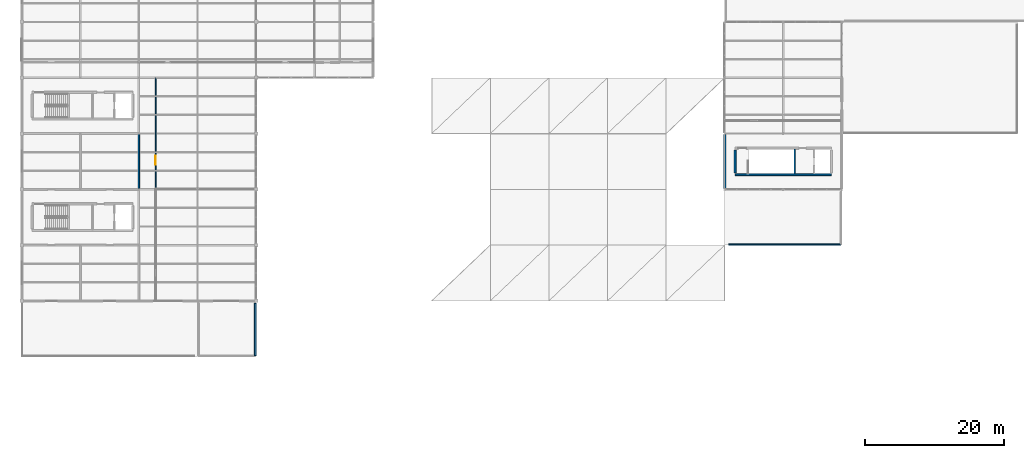
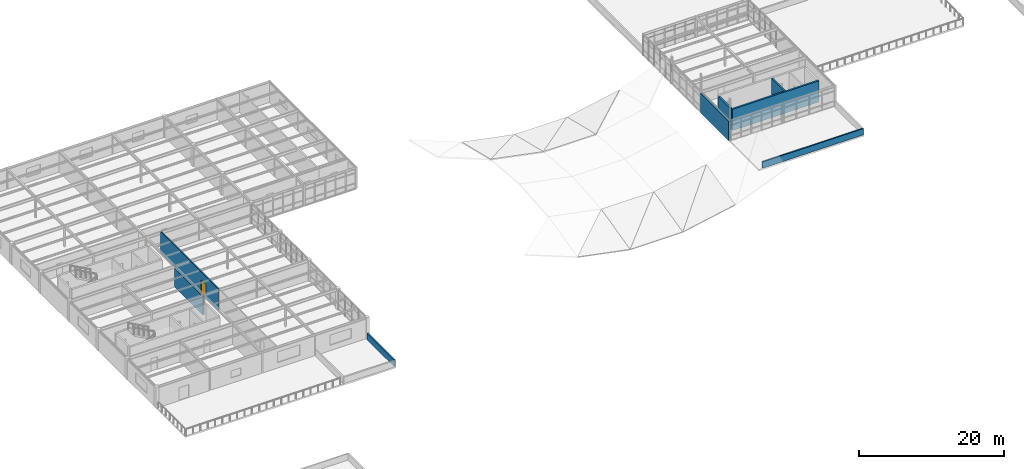
# One storey, part 24 of 32: 8 walls, 1 door, 1 opening.
"""IFC4 building model written with IfcOpenShell, lengths in metres."""

import ifcopenshell
import ifcopenshell.guid

model = None  # the IFC model being written
_history = None  # IfcOwnerHistory: only IFC2X3 demands one
_inside = {}  # id of a spatial element -> (the spatial element, [elements in it])
_under = {}  # id of a project, library or spatial element -> (it, [spatial elements below it])
_declared = {}  # id of a project -> (the project, [libraries it declares])
_typed = {}  # id of a type object -> (the type object, [elements of that type])
_made_of = {}  # id of a material, layer set ... -> (it, [elements and type objects made of it])


def new_model(schema):
    """Start an empty IFC model of exactly this schema.

    Asked for "IFC4X3", IfcOpenShell would pick the latest addendum, in which some entities
    have other attributes; the version numbers below select the first issue.
    IFC2X3 requires an IfcOwnerHistory on every rooted entity: one is made here for all.
    """
    global model, _history
    if schema == "IFC4X3":
        model = ifcopenshell.file(schema_version=(4, 3, 0, 0))
    else:
        model = ifcopenshell.file(schema=schema)
    _inside.clear()
    _under.clear()
    _declared.clear()
    _typed.clear()
    _made_of.clear()
    _history = None
    if model.schema == "IFC2X3":
        org = make("IfcOrganization", Name="unknown")
        user = make(
            "IfcPersonAndOrganization",
            ThePerson=make("IfcPerson", FamilyName="unknown"),
            TheOrganization=org,
        )
        app = make(
            "IfcApplication",
            ApplicationDeveloper=org,
            Version="unknown",
            ApplicationFullName="unknown",
            ApplicationIdentifier="unknown",
        )
        _history = make(
            "IfcOwnerHistory",
            OwningUser=user,
            OwningApplication=app,
            ChangeAction="ADDED",
            CreationDate=0,
        )
    return model


def make(cls, **values):
    """One entity of the class cls with the attributes given. An attribute that is None is left unset."""
    return model.create_entity(
        cls, **{name: value for name, value in values.items() if value is not None}
    )


def rooted(cls, **values):
    """An entity with a GlobalId (a new one), such as an element, a storey or a relation."""
    return make(cls, GlobalId=ifcopenshell.guid.new(), OwnerHistory=_history, **values)


def si_unit(unit_type, name, prefix=None):
    """IfcSIUnit, for example si_unit("LENGTHUNIT", "METRE", prefix="MILLI")."""
    return make("IfcSIUnit", UnitType=unit_type, Prefix=prefix, Name=name)


def assignment(units):
    """IfcUnitAssignment: the units of a project."""
    return None if units is None else make("IfcUnitAssignment", Units=units)


def point(xyz):
    """IfcCartesianPoint."""
    return None if xyz is None else make("IfcCartesianPoint", Coordinates=xyz)


def direction(xyz):
    """IfcDirection."""
    return None if xyz is None else make("IfcDirection", DirectionRatios=xyz)


def frame(location, z_axis=None, x_axis=None):
    """IfcAxis2Placement3D, a coordinate frame: its origin and axes. An axis left out is left unset."""
    return make(
        "IfcAxis2Placement3D",
        Location=point(location),
        Axis=direction(z_axis),
        RefDirection=direction(x_axis),
    )


def frame_2d(location, x_axis=None):
    """IfcAxis2Placement2D, a coordinate frame in the plane: its origin and x axis."""
    return make(
        "IfcAxis2Placement2D", Location=point(location), RefDirection=direction(x_axis)
    )


def origin():
    """The frame at (0, 0, 0) with its axes left unset."""
    return frame((0.0, 0.0, 0.0))


def place(relative_to, where):
    """IfcLocalPlacement: puts the frame where relative to a parent placement (None: the world)."""
    return make(
        "IfcLocalPlacement", PlacementRelTo=relative_to, RelativePlacement=where
    )


def context(
    kind, dimensions, precision=None, world=None, true_north=None, identifier=None
):
    """IfcGeometricRepresentationContext, for example the 3D "Model" context."""
    return make(
        "IfcGeometricRepresentationContext",
        ContextIdentifier=identifier,
        ContextType=kind,
        CoordinateSpaceDimension=dimensions,
        Precision=precision,
        WorldCoordinateSystem=world,
        TrueNorth=true_north,
    )


def subcontext(parent, identifier, kind, view, scale=None):
    """IfcGeometricRepresentationSubContext, for example "Body" below "Model"."""
    return make(
        "IfcGeometricRepresentationSubContext",
        ContextIdentifier=identifier,
        ContextType=kind,
        ParentContext=parent,
        TargetScale=scale,
        TargetView=view,
    )


def project(units=None, contexts=None):
    """IfcProject with its units and contexts."""
    return rooted(
        "IfcProject",
        Name="project",
        RepresentationContexts=contexts,
        UnitsInContext=assignment(units),
    )


def spatial(cls, under=None, at=None, **own):
    """A site, building, storey or space (cls), placed at a placement, below another one or the project."""
    s = rooted(cls, ObjectPlacement=at, **own)
    if under is not None:
        _under.setdefault(under.id(), (under, []))[1].append(s)
    return s


def profile(cls, at=None, kind="AREA", **sizes):
    """A parametric profile (cls). Its sizes go by their IFC names, for example OverallWidth=200.0."""
    return make(cls, ProfileType=kind, Position=at, **sizes)


def rectangle(**sizes):
    """IfcRectangleProfileDef."""
    return profile("IfcRectangleProfileDef", **sizes)


def extrude(swept, where, along, depth):
    """IfcExtrudedAreaSolid: the profile swept, set in the frame where, extruded along a direction by depth."""
    return make(
        "IfcExtrudedAreaSolid",
        SweptArea=swept,
        Position=where,
        ExtrudedDirection=direction(along),
        Depth=depth,
    )


def shape(context_of_items, identifier, shape_type, items):
    """IfcShapeRepresentation: the items that make up one representation, for example the "Body"."""
    return make(
        "IfcShapeRepresentation",
        ContextOfItems=context_of_items,
        RepresentationIdentifier=identifier,
        RepresentationType=shape_type,
        Items=items,
    )


def material(Name=None, Category=None):
    """IfcMaterial."""
    return make("IfcMaterial", Name=Name, Category=Category)


def layer(
    of_material, thickness, ventilated=None, Name=None, Category=None, Priority=None
):
    """IfcMaterialLayer: one layer of a wall or slab, of a material (None: an air gap)."""
    return make(
        "IfcMaterialLayer",
        Material=of_material,
        LayerThickness=thickness,
        IsVentilated=ventilated,
        Name=Name,
        Category=Category,
        Priority=Priority,
    )


def layer_set(layers, Name=None):
    """IfcMaterialLayerSet."""
    return make("IfcMaterialLayerSet", MaterialLayers=layers, LayerSetName=Name)


def made_of(thing, what):
    """Note that an element or type object is made of a material, layer set ...; save() writes the relation."""
    if what is not None:
        _made_of.setdefault(what.id(), (what, []))[1].append(thing)
    return thing


def type_object(cls, material=None, **own):
    """A type object (cls), such as IfcWallType, which elements share."""
    return made_of(rooted(cls, **own), material)


def element(
    cls,
    number,
    at=None,
    inside=None,
    cuts=None,
    type_object=None,
    material=None,
    context=None,
    identifier="Body",
    shape_type=None,
    held_by="IfcProductDefinitionShape",
    body=None,
    shapes=None,
    **own,
):
    """One element of the class cls, such as IfcWall. Its Tag is "e" and its number.

    at: its placement. inside: the storey or other place that contains it. cuts: it is an
    opening in that element (IfcRelVoidsElement). A single representation is given by context,
    identifier, shape_type and body (its items); several are given by shapes. held_by: the class
    of the entity that holds the representations. save() writes the other relations.
    """
    e = rooted(cls, Tag="e%d" % number, ObjectPlacement=at, **own)
    if body is not None:
        shapes = [shape(context, identifier, shape_type, body)]
    if shapes is not None:
        e.Representation = make(held_by, Representations=shapes)
    if inside is not None:
        _inside.setdefault(inside.id(), (inside, []))[1].append(e)
    if cuts is not None:
        rooted(
            "IfcRelVoidsElement", RelatingBuildingElement=cuts, RelatedOpeningElement=e
        )
    if type_object is not None:
        _typed.setdefault(type_object.id(), (type_object, []))[1].append(e)
    return made_of(e, material)


def fill(opening, filler):
    """IfcRelFillsElement: the door or window that sits in an opening."""
    return rooted(
        "IfcRelFillsElement",
        RelatingOpeningElement=opening,
        RelatedBuildingElement=filler,
    )


def aggregate(whole, parts):
    """IfcRelAggregates: a whole, such as a stair, and the parts it consists of."""
    return rooted("IfcRelAggregates", RelatingObject=whole, RelatedObjects=parts)


def save(model, path):
    """Write the relations noted so far, then the file.

    IfcRelAggregates (storeys below a building ...), IfcRelContainedInSpatialStructure (elements
    in a storey), IfcRelDefinesByType, IfcRelAssociatesMaterial and IfcRelDeclares: one each for
    every whole, place, type object, material and project.
    """
    for whole, parts in _under.values():
        aggregate(whole, parts)
    for where, things in _inside.values():
        rooted(
            "IfcRelContainedInSpatialStructure",
            RelatedElements=things,
            RelatingStructure=where,
        )
    for kind, things in _typed.values():
        rooted("IfcRelDefinesByType", RelatedObjects=things, RelatingType=kind)
    for what, things in _made_of.values():
        rooted("IfcRelAssociatesMaterial", RelatedObjects=things, RelatingMaterial=what)
    for by, libraries in _declared.values():
        rooted("IfcRelDeclares", RelatingContext=by, RelatedDefinitions=libraries)
    model.write(path)


model = new_model("IFC4")

# Units and contexts
model_context = context("Model", 3, precision=1e-05, world=origin(), true_north=direction((0.0, 1.0)))
body_context = subcontext(model_context, "Body", "Model", "MODEL_VIEW")
ifc_project = project(units=[si_unit("LENGTHUNIT", "METRE"), si_unit("AREAUNIT", "SQUARE_METRE"), si_unit("VOLUMEUNIT", "CUBIC_METRE"), si_unit("PLANEANGLEUNIT", "RADIAN"), si_unit("MASSUNIT", "GRAM", prefix="KILO")], contexts=[model_context])

# Site, building, storey
site_placement = place(None, origin())
site = spatial("IfcSite", under=ifc_project, at=site_placement, CompositionType="ELEMENT")
building_placement = place(site_placement, origin())
building = spatial("IfcBuilding", under=site, at=building_placement, Name="Kranzveld Transit Interchange", CompositionType="ELEMENT")
storey_placement = place(building_placement, frame((0.0, 0.0, 17.199951171875)))
storey = spatial("IfcBuildingStorey", under=building, at=storey_placement, Name="L04", CompositionType="ELEMENT", Elevation=17.199951171875)

# Wall, opening, door
ifc_material_1 = material(Name="Clay masonry unit wall, 20 MPa", Category="masonry")
ifc_layer_1 = layer(ifc_material_1, 0.1650390625)
ifc_layer_set_1 = layer_set([ifc_layer_1], Name="Clay masonry unit wall, 20 MPa")
wall_type_1 = type_object("IfcWallType", Name="Acoustic Double-Stud Partition 165", PredefinedType="PARTITIONING", material=ifc_layer_set_1)
wall_1_placement = place(storey_placement, frame((19.199951171875, 72.0, 0.0), z_axis=(0.0, 0.0, 1.0), x_axis=(0.0, 1.0, 0.0)))
wall_1 = element("IfcWall", 1, at=wall_1_placement, inside=storey, type_object=wall_type_1, Name="L04 Partition IW-L04-L04V5E-FRT-413-0", PredefinedType="PARTITIONING", context=body_context, shape_type="SweptSolid", body=[
    extrude(rectangle(XDim=16.0, YDim=0.1650390625, at=frame_2d((8.0, 0.0))), origin(), (0.0, 0.0, 1.0), 3.590087890625),
])
opening_placement = place(wall_1_placement, frame((4.800048828125, 0.0, 0.0), z_axis=(0.0, 0.0, 1.0), x_axis=(-1.0, 0.0, 0.0)))
opening = element("IfcOpeningElement", 2, at=opening_placement, cuts=wall_1, Name="Opening D-413", PredefinedType="OPENING", context=body_context, shape_type="SweptSolid", body=[
    extrude(rectangle(XDim=1.300048828125, YDim=2.25, at=frame_2d((0.64990234375, 1.125))), frame((0.0, 0.092529296875, 0.0), z_axis=(0.0, -1.0, 0.0), x_axis=(1.0, 0.0, 0.0)), (0.0, 0.0, 1.0), 0.18505859375),
])
ifc_material_2 = material(Name="Bronze-anodised thermally broken aluminium", Category="aluminium")
door_type = type_object("IfcDoorType", Name="Exhibition Double Leaf Door 1300x2250", OperationType="NOTDEFINED", PredefinedType="DOOR", material=ifc_material_2)
door_placement = place(opening_placement, origin())
door = element("IfcDoor", 3, at=door_placement, inside=storey, type_object=door_type, Name="L04 Interior Door D-413", OperationType="SINGLE_SWING_RIGHT", OverallHeight=2.25, OverallWidth=1.300048828125, PredefinedType="DOOR", context=body_context, shape_type="SweptSolid", body=[
    extrude(rectangle(XDim=1.300048828125, YDim=2.25, at=frame_2d((0.64990234375, 1.125))), frame((0.0, 0.02490234375, 0.0), z_axis=(0.0, -1.0, 0.0), x_axis=(1.0, 0.0, 0.0)), (0.0, 0.0, 1.0), 0.050048828125),
])
fill(opening, door)

# Walls
ifc_material_3 = material(Name="Concrete C40/50", Category="concrete")
ifc_layer_2 = layer(ifc_material_3, 0.27490234375)
ifc_layer_set_2 = layer_set([ifc_layer_2], Name="Concrete C40/50")
wall_type_2 = type_object("IfcWallType", Name="Core Upper Wall RC 275 C40/50", PredefinedType="SHEAR", material=ifc_layer_set_2)
wall_2_placement = place(storey_placement, frame((102.300048828125, 74.090087890625, 0.0), z_axis=(0.0, 0.0, 1.0), x_axis=(1.0, 0.0, 0.0)))
element("IfcWall", 4, at=wall_2_placement, inside=storey, type_object=wall_type_2, Name="L04 Community Core C3 Shear Wall S", PredefinedType="SHEAR", context=body_context, shape_type="SweptSolid", body=[
    extrude(rectangle(XDim=13.800048828125, YDim=0.27490234375, at=frame_2d((6.89990234375, 0.0))), origin(), (0.0, 0.0, 1.0), 3.590087890625),
])
wall_3_placement = place(storey_placement, frame((102.300048828125, 74.364990234375, 0.0), z_axis=(0.0, 0.0, 1.0), x_axis=(0.0, 1.0, 0.0)))
element("IfcWall", 5, at=wall_3_placement, inside=storey, type_object=wall_type_2, Name="L04 Community Core C3 Shear Wall W", PredefinedType="SHEAR", context=body_context, shape_type="SweptSolid", body=[
    extrude(rectangle(XDim=3.27001953125, YDim=0.27490234375, at=frame_2d((1.635009765625, 0.0))), origin(), (0.0, 0.0, 1.0), 3.590087890625),
])
ifc_material_4 = material(Name="Pretoria red-purple clinker clay face brick, 35 MPa", Category="masonry")
ifc_layer_3 = layer(ifc_material_4, 0.320068359375)
ifc_layer_set_3 = layer_set([ifc_layer_3], Name="Pretoria red-purple clinker clay face brick, 35 MPa")
wall_type_3 = type_object("IfcWallType", Name="Exterior Upper Wall Red Clinker 320", PredefinedType="SOLIDWALL", material=ifc_layer_set_3)
wall_4_placement = place(storey_placement, frame((100.800048828125, 72.104736328125, 0.0), z_axis=(0.0, 0.0, 1.0), x_axis=(0.0, 1.0, 0.0)))
element("IfcWall", 6, at=wall_4_placement, inside=storey, type_object=wall_type_3, Name="L04 Clinker Facade Wall 13/K-13/L", PredefinedType="SOLIDWALL", context=body_context, shape_type="SweptSolid", body=[
    extrude(rectangle(XDim=7.79052734375, YDim=0.320068359375, at=frame_2d((3.895263671875, 0.0))), origin(), (0.0, 0.0, 1.0), 3.2900390625),
])
ifc_material_5 = material(Name="Clay masonry unit wall, 20 MPa", Category="masonry")
ifc_layer_4 = layer(ifc_material_5, 0.22998046875)
ifc_layer_set_4 = layer_set([ifc_layer_4], Name="Clay masonry unit wall, 20 MPa")
wall_type_4 = type_object("IfcWallType", Name="Fire Compartment Wall Masonry 230 EI120", PredefinedType="PARTITIONING", material=ifc_layer_set_4)
wall_5_placement = place(storey_placement, frame((16.800048828125, 72.0947265625, 0.0), z_axis=(0.0, 0.0, 1.0), x_axis=(0.0, 1.0, 0.0)))
element("IfcWall", 7, at=wall_5_placement, inside=storey, type_object=wall_type_4, Name="L04 Partition IW-L04-L04V5M-E-406-0", PredefinedType="PARTITIONING", context=body_context, shape_type="SweptSolid", body=[
    extrude(rectangle(XDim=7.810546875, YDim=0.22998046875, at=frame_2d((3.9052734375, 0.0))), origin(), (0.0, 0.0, 1.0), 3.13671875),
])
ifc_material_6 = material(Name="Concrete C40/50", Category="concrete")
ifc_layer_5 = layer(ifc_material_6, 0.199951171875)
ifc_layer_set_5 = layer_set([ifc_layer_5], Name="Concrete C40/50")
wall_type_5 = type_object("IfcWallType", Name="Lift Shaft Enclosure Wall RC 200 EI120", PredefinedType="SHEAR", material=ifc_layer_set_5)
wall_6_placement = place(storey_placement, frame((110.85009765625, 74.2275390625, 0.0), z_axis=(0.0, 0.0, 1.0), x_axis=(0.0, 1.0, 0.0)))
element("IfcWall", 8, at=wall_6_placement, inside=storey, type_object=wall_type_5, Name="L04 Community Core C3 Stair-Lobby Dividing Wall", PredefinedType="SHEAR", context=body_context, shape_type="SweptSolid", body=[
    extrude(rectangle(XDim=3.544921875, YDim=0.199951171875, at=frame_2d((1.7724609375, 0.0))), origin(), (0.0, 0.0, 1.0), 3.590087890625),
])
ifc_material_7 = material(Name="Pretoria red-purple clinker clay face brick, 35 MPa", Category="masonry")
ifc_layer_6 = layer(ifc_material_7, 0.22998046875)
ifc_layer_set_6 = layer_set([ifc_layer_6], Name="Pretoria red-purple clinker clay face brick, 35 MPa")
wall_type_6 = type_object("IfcWallType", Name="Roof Parapet Wall Clinker Brick 230", PredefinedType="PARAPET", material=ifc_layer_set_6)
wall_7_placement = place(storey_placement, frame((33.47998046875, 55.64990234375, 0.0), z_axis=(0.0, 0.0, 1.0), x_axis=(0.0, -1.0, 0.0)))
element("IfcWall", 9, at=wall_7_placement, inside=storey, type_object=wall_type_6, Name="L04 Roof Parapet 034", PredefinedType="PARAPET", context=body_context, shape_type="SweptSolid", body=[
    extrude(rectangle(XDim=7.52978515625, YDim=0.22998046875, at=frame_2d((3.764892578125, 0.0))), origin(), (0.0, 0.0, 1.0), 1.050048828125),
])
ifc_material_8 = material(Name="Dark Pretoria clinker clay plinth brick, 40 MPa", Category="masonry")
ifc_layer_7 = layer(ifc_material_8, 0.215087890625)
ifc_layer_set_7 = layer_set([ifc_layer_7], Name="Dark Pretoria clinker clay plinth brick, 40 MPa")
wall_type_7 = type_object("IfcWallType", Name="Terrace Parapet Upstand Brick 215", PredefinedType="PARAPET", material=ifc_layer_set_7)
wall_8_placement = place(storey_placement, frame((117.47998046875, 64.1201171875, 0.0), z_axis=(0.0, 0.0, 1.0), x_axis=(-1.0, 0.0, 0.0)))
element("IfcWall", 10, at=wall_8_placement, inside=storey, type_object=wall_type_7, Name="L04 Roof Parapet 043", PredefinedType="PARAPET", context=body_context, shape_type="SweptSolid", body=[
    extrude(rectangle(XDim=16.080078125, YDim=0.215087890625, at=frame_2d((8.0400390625, 0.0))), origin(), (0.0, 0.0, 1.0), 1.050048828125),
])

save(model, "model.ifc")
